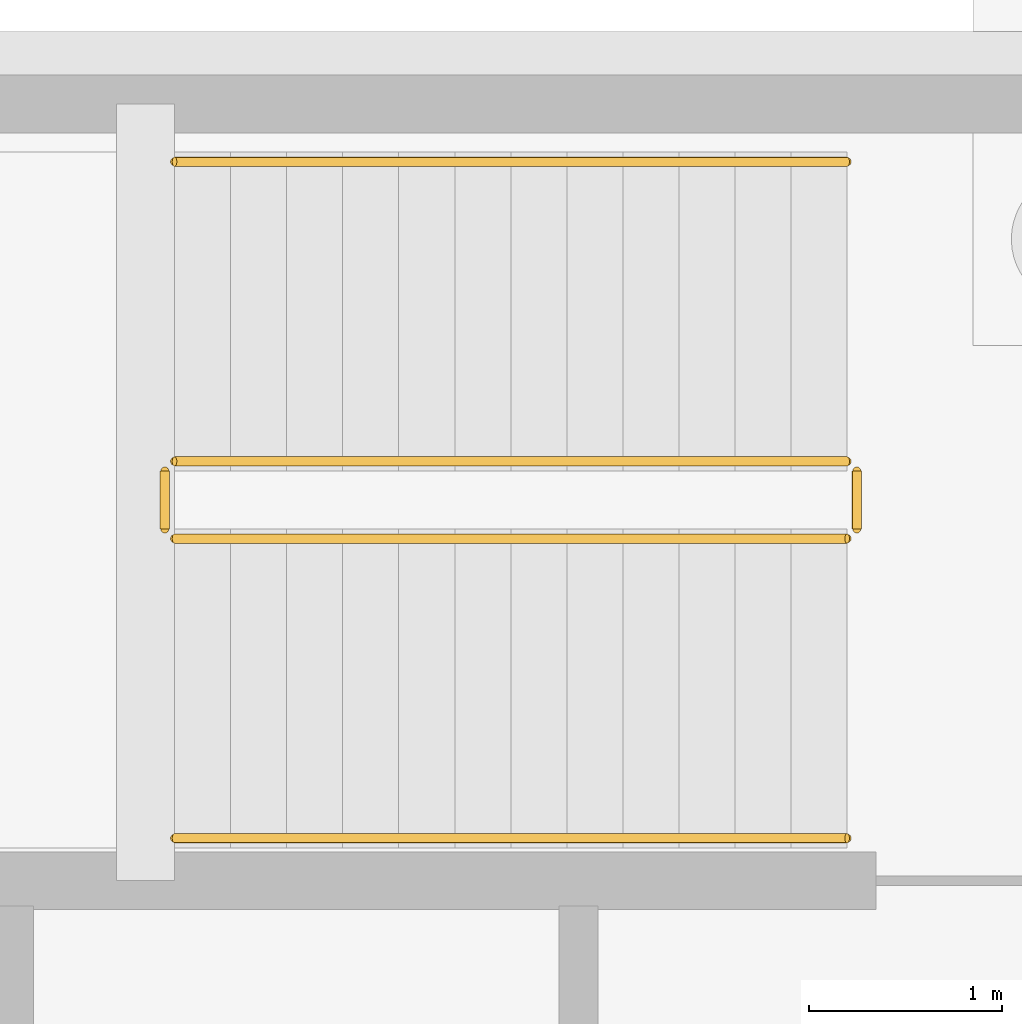
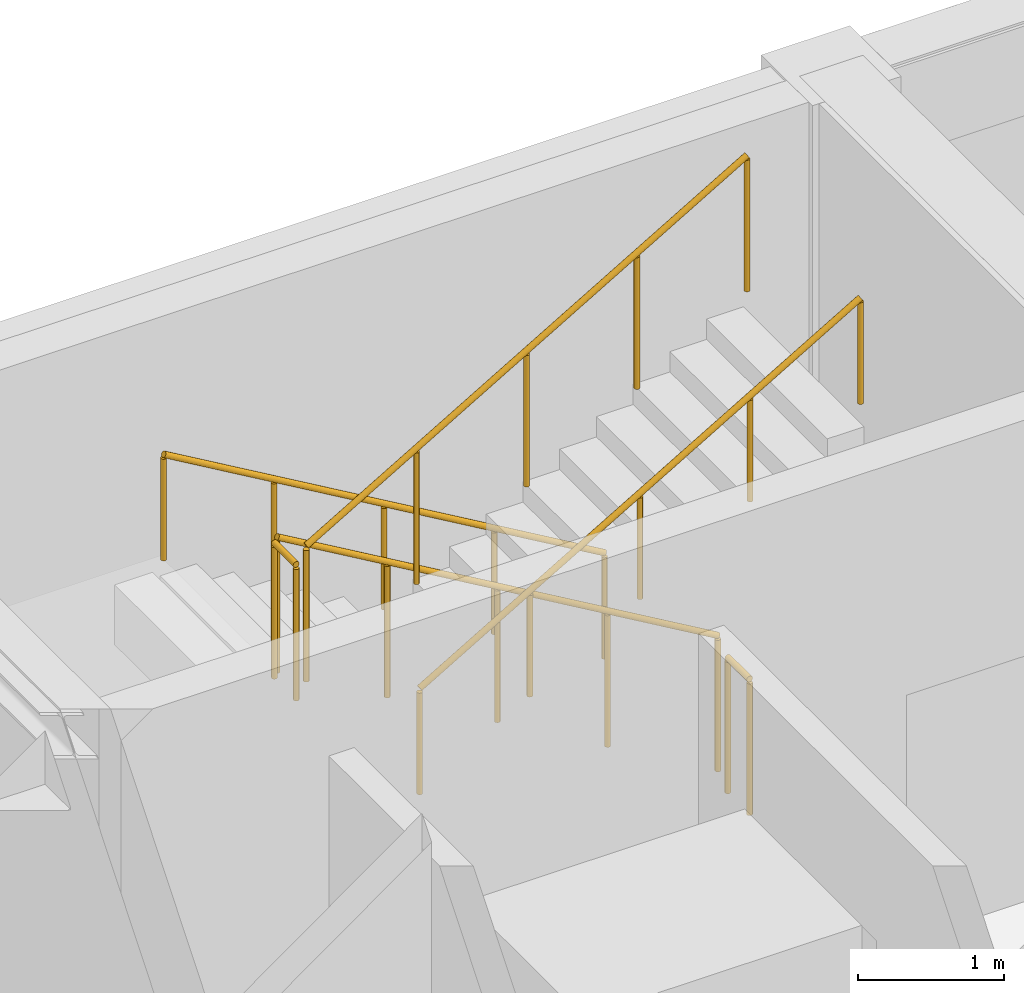
# One storey, part 26 of 33: 6 railings.
"""IFC4 building model written with IfcOpenShell, lengths in metres."""

from ifc_helpers import new_model, si_unit, direction, frame, origin, origin_2d, place, context, subcontext, project, spatial, circle, extrude, material, type_object, element, save


model = new_model("IFC4")

# Units and contexts
model_context = context("Model", 3, precision=1e-05, world=origin(), true_north=direction((0.0, 1.0)))
body_context = subcontext(model_context, "Body", "Model", "MODEL_VIEW")
ifc_project = project(units=[si_unit("LENGTHUNIT", "METRE"), si_unit("AREAUNIT", "SQUARE_METRE"), si_unit("VOLUMEUNIT", "CUBIC_METRE"), si_unit("PLANEANGLEUNIT", "RADIAN"), si_unit("MASSUNIT", "GRAM", prefix="KILO")], contexts=[model_context])

# Site, building, storey
site_placement = place(None, origin())
site = spatial("IfcSite", under=ifc_project, at=site_placement, CompositionType="ELEMENT")
building_placement = place(site_placement, origin())
building = spatial("IfcBuilding", under=site, at=building_placement, Name="Kveldsbrygga Polytechnic", CompositionType="ELEMENT")
storey_placement = place(building_placement, frame((0.0, 0.0, -4.419921875)))
storey = spatial("IfcBuildingStorey", under=building, at=storey_placement, Name="B1", CompositionType="ELEMENT", Elevation=-4.419921875)

# Railings
ifc_material = material(Name="Steel S355", Category="steel")
railing_type_1 = type_object("IfcRailingType", Name="RL-STAIR-GRD", PredefinedType="GUARDRAIL", material=ifc_material)
railing_1_placement = place(storey_placement, frame((81.949951171875, 23.199951171875, 0.169921875)))
element("IfcRailing", 1, at=railing_1_placement, inside=storey, type_object=railing_type_1, Name="B1 ST-6 stair guard 1", PredefinedType="GUARDRAIL", context=body_context, shape_type="SweptSolid", body=[
    extrude(circle(Radius=0.02392578125, at=origin_2d()), frame((0.0, 0.0, 1.1259765625), z_axis=(-0.862692506924, 0.0, 0.505728819128), x_axis=(0.0, -1.0, 0.0)), (0.0, 0.0, 1.0), 4.033935546875),
    extrude(circle(Radius=0.02099609375, at=origin_2d()), origin(), (0.0, 0.0, 1.0), 1.097900390625),
    extrude(circle(Radius=0.02099609375, at=origin_2d()), frame((-0.8701171875, 0.0, 0.510009765625)), (0.0, 0.0, 1.0), 1.097900390625),
    extrude(circle(Radius=0.02099609375, at=origin_2d()), frame((-1.739990234375, 0.0, 1.02001953125)), (0.0, 0.0, 1.0), 1.097900390625),
    extrude(circle(Radius=0.02099609375, at=origin_2d()), frame((-2.60986328125, 0.0, 1.530029296875)), (0.0, 0.0, 1.0), 1.097900390625),
    extrude(circle(Radius=0.02099609375, at=origin_2d()), frame((-3.47998046875, 0.0, 2.0400390625)), (0.0, 0.0, 1.0), 1.097900390625),
])
railing_2_placement = place(storey_placement, frame((78.419921875, 23.14990234375, 2.2099609375)))
element("IfcRailing", 2, at=railing_2_placement, inside=storey, type_object=railing_type_1, Name="B1 ST-6 stair guard 2", PredefinedType="GUARDRAIL", context=body_context, shape_type="SweptSolid", body=[
    extrude(circle(Radius=0.02392578125, at=origin_2d()), frame((0.0, 0.0, 1.1259765625), z_axis=(0.0, -1.0, 0.0), x_axis=(1.0, 0.0, 0.0)), (0.0, 0.0, 1.0), 0.2998046875),
    extrude(circle(Radius=0.02099609375, at=origin_2d()), origin(), (0.0, 0.0, 1.0), 1.097900390625),
    extrude(circle(Radius=0.02099609375, at=origin_2d()), frame((0.0, -0.2998046875, 0.0)), (0.0, 0.0, 1.0), 1.097900390625),
])
railing_3_placement = place(storey_placement, frame((78.469970703125, 22.800048828125, 2.3798828125)))
element("IfcRailing", 3, at=railing_3_placement, inside=storey, type_object=railing_type_1, Name="B1 ST-6 stair guard 3", PredefinedType="GUARDRAIL", context=body_context, shape_type="SweptSolid", body=[
    extrude(circle(Radius=0.02392578125, at=origin_2d()), frame((0.0, 0.0, 1.1259765625), z_axis=(0.862692506924, 0.0, 0.505728819128), x_axis=(0.0, 1.0, 0.0)), (0.0, 0.0, 1.0), 4.033935546875),
    extrude(circle(Radius=0.02099609375, at=origin_2d()), origin(), (0.0, 0.0, 1.0), 1.097900390625),
    extrude(circle(Radius=0.02099609375, at=origin_2d()), frame((0.8701171875, 0.0, 0.510009765625)), (0.0, 0.0, 1.0), 1.097900390625),
    extrude(circle(Radius=0.02099609375, at=origin_2d()), frame((1.739990234375, 0.0, 1.02001953125)), (0.0, 0.0, 1.0), 1.097900390625),
    extrude(circle(Radius=0.02099609375, at=origin_2d()), frame((2.60986328125, 0.0, 1.530029296875)), (0.0, 0.0, 1.0), 1.097900390625),
    extrude(circle(Radius=0.02099609375, at=origin_2d()), frame((3.47998046875, 0.0, 2.0400390625)), (0.0, 0.0, 1.0), 1.097900390625),
])
railing_4_placement = place(storey_placement, frame((82.0, 23.14990234375, 0.0)))
element("IfcRailing", 4, at=railing_4_placement, inside=storey, type_object=railing_type_1, Name="B1 ST-6 stair guard 4", PredefinedType="GUARDRAIL", context=body_context, shape_type="SweptSolid", body=[
    extrude(circle(Radius=0.02392578125, at=origin_2d()), frame((0.0, 0.0, 1.1259765625), z_axis=(0.0, -1.0, 0.0), x_axis=(1.0, 0.0, 0.0)), (0.0, 0.0, 1.0), 0.2998046875),
    extrude(circle(Radius=0.02099609375, at=origin_2d()), origin(), (0.0, 0.0, 1.0), 1.097900390625),
    extrude(circle(Radius=0.02099609375, at=origin_2d()), frame((0.0, -0.2998046875, 0.0)), (0.0, 0.0, 1.0), 1.097900390625),
])
railing_type_2 = type_object("IfcRailingType", Name="RL-STAIR-HND", PredefinedType="HANDRAIL", material=ifc_material)
railing_5_placement = place(storey_placement, frame((81.949951171875, 24.75, 0.169921875)))
element("IfcRailing", 5, at=railing_5_placement, inside=storey, type_object=railing_type_2, Name="B1 ST-6 stair handrail 1", PredefinedType="HANDRAIL", context=body_context, shape_type="SweptSolid", body=[
    extrude(circle(Radius=0.02392578125, at=origin_2d()), frame((0.0, 0.0, 0.8759765625), z_axis=(-0.862692506924, 0.0, 0.505728819128), x_axis=(0.0, -1.0, 0.0)), (0.0, 0.0, 1.0), 4.033935546875),
    extrude(circle(Radius=0.02099609375, at=origin_2d()), origin(), (0.0, 0.0, 1.0), 0.847900390625),
    extrude(circle(Radius=0.02099609375, at=origin_2d()), frame((-0.8701171875, 0.0, 0.510009765625)), (0.0, 0.0, 1.0), 0.847900390625),
    extrude(circle(Radius=0.02099609375, at=origin_2d()), frame((-1.739990234375, 0.0, 1.02001953125)), (0.0, 0.0, 1.0), 0.847900390625),
    extrude(circle(Radius=0.02099609375, at=origin_2d()), frame((-2.60986328125, 0.0, 1.530029296875)), (0.0, 0.0, 1.0), 0.847900390625),
    extrude(circle(Radius=0.02099609375, at=origin_2d()), frame((-3.47998046875, 0.0, 2.0400390625)), (0.0, 0.0, 1.0), 0.847900390625),
])
railing_6_placement = place(storey_placement, frame((78.469970703125, 21.25, 2.3798828125)))
element("IfcRailing", 6, at=railing_6_placement, inside=storey, type_object=railing_type_2, Name="B1 ST-6 stair handrail 2", PredefinedType="HANDRAIL", context=body_context, shape_type="SweptSolid", body=[
    extrude(circle(Radius=0.02392578125, at=origin_2d()), frame((0.0, 0.0, 0.8759765625), z_axis=(0.862692506924, 0.0, 0.505728819128), x_axis=(0.0, 1.0, 0.0)), (0.0, 0.0, 1.0), 4.033935546875),
    extrude(circle(Radius=0.02099609375, at=origin_2d()), origin(), (0.0, 0.0, 1.0), 0.847900390625),
    extrude(circle(Radius=0.02099609375, at=origin_2d()), frame((0.8701171875, 0.0, 0.510009765625)), (0.0, 0.0, 1.0), 0.847900390625),
    extrude(circle(Radius=0.02099609375, at=origin_2d()), frame((1.739990234375, 0.0, 1.02001953125)), (0.0, 0.0, 1.0), 0.847900390625),
    extrude(circle(Radius=0.02099609375, at=origin_2d()), frame((2.60986328125, 0.0, 1.530029296875)), (0.0, 0.0, 1.0), 0.847900390625),
    extrude(circle(Radius=0.02099609375, at=origin_2d()), frame((3.47998046875, 0.0, 2.0400390625)), (0.0, 0.0, 1.0), 0.847900390625),
])

save(model, "model.ifc")
